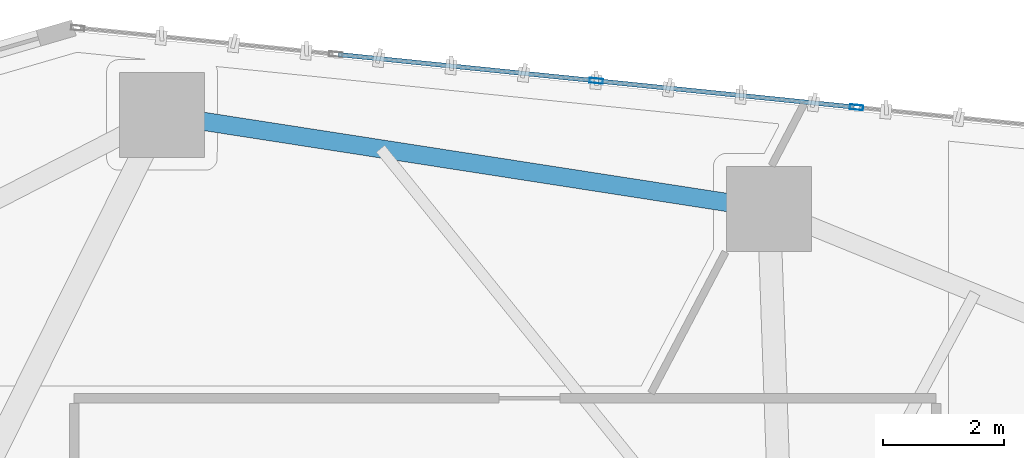
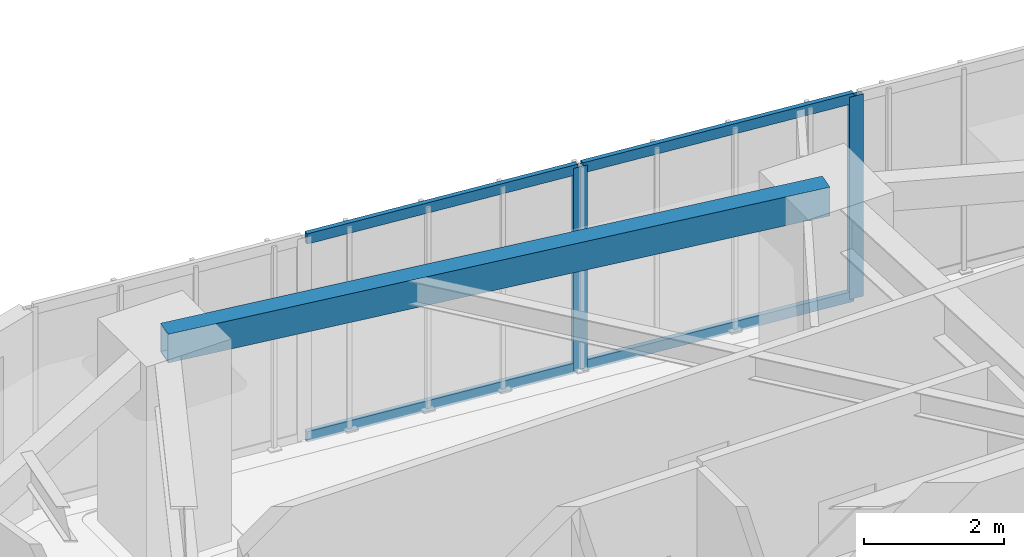
# One storey, part 16 of 24: 6 members, 1 beam, 1 element without a shape of its own.
"""IFC4 building model written with IfcOpenShell, lengths in metres."""

from ifc_helpers import new_model, si_unit, direction, frame, origin, origin_2d, place, context, subcontext, project, spatial, hollow_rectangle, extrude, source, transform, mapped, material, layer, layer_set, material_profile, profile_set, type_object, type_shapes, element, aggregate, save


model = new_model("IFC4")

# Units and contexts
model_context = context("Model", 3, precision=1e-05, world=origin(), true_north=direction((0.0, 1.0)))
body_context = subcontext(model_context, "Body", "Model", "MODEL_VIEW")
ifc_project = project(units=[si_unit("LENGTHUNIT", "METRE"), si_unit("AREAUNIT", "SQUARE_METRE"), si_unit("VOLUMEUNIT", "CUBIC_METRE"), si_unit("PLANEANGLEUNIT", "RADIAN"), si_unit("MASSUNIT", "GRAM", prefix="KILO")], contexts=[model_context])

# Site, building, storey
site_placement = place(None, origin())
site = spatial("IfcSite", under=ifc_project, at=site_placement, CompositionType="ELEMENT")
building_placement = place(site_placement, origin())
building = spatial("IfcBuilding", under=site, at=building_placement, Name="Talar Marvaseh", CompositionType="ELEMENT")
storey_placement = place(building_placement, frame((0.0, 0.0, 73.39990234375)))
storey = spatial("IfcBuildingStorey", under=building, at=storey_placement, Name="L18", CompositionType="ELEMENT", Elevation=73.39990234375)

# Beam
ifc_material_1 = material(Name="Steel S355", Category="steel")
ifc_material_profile_1 = material_profile(ifc_material_1, hollow_rectangle(XDim=0.300048828125, YDim=0.5, WallThickness=0.02001953125, at=origin_2d()), Name="RHS500x300x20")
ifc_profile_set_1 = profile_set([ifc_material_profile_1], Name="Steel S355")
beam_type = type_object("IfcBeamType", Name="Zone 1 Perimeter Spandrel Beam RHS500x300x20", PredefinedType="SPANDREL", material=ifc_profile_set_1)
beam_placement = place(storey_placement, frame((23.047119140625, 45.6669921875, 3.27001953125), z_axis=(0.988210751461, -0.153099675693, 0.0), x_axis=(0.153099675693, 0.988210751461, 0.0)))
element("IfcBeam", 1, at=beam_placement, inside=storey, type_object=beam_type, Name="L18 Zone 1 Perimeter Spandrel Beam RHS500x300x20", PredefinedType="SPANDREL", context=body_context, shape_type="SweptSolid", body=[
    extrude(hollow_rectangle(XDim=0.300048828125, YDim=0.5, WallThickness=0.02001953125, at=origin_2d()), origin(), (0.0, 0.0, 1.0), 10.1181640625),
])

# Curtain wall, members
ifc_material_2 = material(Name="Architectural Aluminium", Category="aluminium")
ifc_layer = layer(ifc_material_2, 0.219970703125)
ifc_layer_set = layer_set([ifc_layer], Name="Architectural Aluminium")
curtain_wall_type = type_object("IfcCurtainWallType", Name="Unitised Low-E Museum Curtain Wall Z1", PredefinedType="NOTDEFINED", material=ifc_layer_set)
curtain_wall_placement = place(storey_placement, origin())
curtain_wall = element("IfcCurtainWall", 2, at=curtain_wall_placement, inside=storey, type_object=curtain_wall_type, Name="L18 Unitised Low-E Museum Curtain Wall Z1", PredefinedType="NOTDEFINED")
ifc_material_profile_2 = material_profile(ifc_material_2, hollow_rectangle(XDim=0.080078125, YDim=0.219970703125, WallThickness=0.0048828125, at=origin_2d()), Name="RHS220x80x5")
ifc_profile_set_2 = profile_set([ifc_material_profile_2], Name="Architectural Aluminium")
member_type_1 = type_object("IfcMemberType", Name="Unitised Curtain Wall Heavy Mullion RHS220x80x5", PredefinedType="MULLION", material=ifc_profile_set_2)
shared_shape_1 = source(origin(), body_context, "Body", "SweptSolid", [
    extrude(hollow_rectangle(XDim=0.080078125, YDim=0.219970703125, WallThickness=0.0048828125, at=origin_2d()), origin(), (0.0, 0.0, 1.0), 3.52001953125),
])
type_shapes(member_type_1, [shared_shape_1])
member_1_placement = place(storey_placement, frame((30.199462890625, 46.22900390625, 0.0), z_axis=(0.0, 0.0, 1.0), x_axis=(0.101365196802, 0.994849283498, 0.0)))
member_1 = element("IfcMember", 3, at=member_1_placement, type_object=member_type_1, Name="CW-Z1 mullion 3", PredefinedType="MULLION", context=body_context, shape_type="MappedRepresentation", body=[
    mapped(shared_shape_1, transform((0.0, 0.0, 0.0), x_axis=(1.0, 0.0, 0.0), y_axis=(0.0, 1.0, 0.0), z_axis=(0.0, 0.0, 1.0), scale=1.0)),
])
member_2_placement = place(storey_placement, frame((34.489013671875, 45.7919921875, 0.0), z_axis=(0.0, 0.0, 1.0), x_axis=(0.101365196802, 0.994849283498, 0.0)))
member_2 = element("IfcMember", 4, at=member_2_placement, type_object=member_type_1, Name="CW-Z1 mullion 4", PredefinedType="MULLION", context=body_context, shape_type="MappedRepresentation", body=[
    mapped(shared_shape_1, transform((0.0, 0.0, 0.0), x_axis=(1.0, 0.0, 0.0), y_axis=(0.0, 1.0, 0.0), z_axis=(0.0, 0.0, 1.0), scale=1.0)),
])
ifc_material_profile_3 = material_profile(ifc_material_2, hollow_rectangle(XDim=0.074951171875, YDim=0.179931640625, WallThickness=0.0048828125, at=origin_2d()), Name="RHS180x75x5")
ifc_profile_set_3 = profile_set([ifc_material_profile_3], Name="Architectural Aluminium")
member_type_2 = type_object("IfcMemberType", Name="Unitised Curtain Wall Transom RHS180x75x5", PredefinedType="USERDEFINED", material=ifc_profile_set_3)
shared_shape_2 = source(origin(), body_context, "Body", "SweptSolid", [
    extrude(hollow_rectangle(XDim=0.074951171875, YDim=0.179931640625, WallThickness=0.0048828125, at=origin_2d()), origin(), (0.0, 0.0, 1.0), 4.23193359375),
])
member_3_placement = place(storey_placement, frame((25.949462890625, 46.661865234375, 0.03759765625), z_axis=(0.994849825141, -0.101359880706, 0.0), x_axis=(0.101359880706, 0.994849825141, 0.0)))
member_3 = element("IfcMember", 5, at=member_3_placement, type_object=member_type_2, Name="CW-Z1 transom 2.1", ObjectType="TRANSOM", PredefinedType="USERDEFINED", context=body_context, shape_type="MappedRepresentation", body=[
    mapped(shared_shape_2, transform((0.0, 0.0, 0.0), x_axis=(1.0, 0.0, 0.0), y_axis=(0.0, 1.0, 0.0), z_axis=(0.0, 0.0, 1.0), scale=1.0)),
])
member_4_placement = place(storey_placement, frame((25.949462890625, 46.661865234375, 3.482666015625), z_axis=(0.994849825141, -0.101359880706, 0.0), x_axis=(0.101359880706, 0.994849825141, 0.0)))
member_4 = element("IfcMember", 6, at=member_4_placement, type_object=member_type_2, Name="CW-Z1 transom 2.2", ObjectType="TRANSOM", PredefinedType="USERDEFINED", context=body_context, shape_type="MappedRepresentation", body=[
    mapped(shared_shape_2, transform((0.0, 0.0, 0.0), x_axis=(1.0, 0.0, 0.0), y_axis=(0.0, 1.0, 0.0), z_axis=(0.0, 0.0, 1.0), scale=1.0)),
])
shared_shape_3 = source(origin(), body_context, "Body", "SweptSolid", [
    extrude(hollow_rectangle(XDim=0.074951171875, YDim=0.179931640625, WallThickness=0.0048828125, at=origin_2d()), origin(), (0.0, 0.0, 1.0), 4.231689453125),
])
type_shapes(member_type_2, [shared_shape_2, shared_shape_3])
member_5_placement = place(storey_placement, frame((30.2392578125, 46.224853515625, 0.03759765625), z_axis=(0.994849232402, -0.101365698291, 0.0), x_axis=(0.101365698291, 0.994849232402, 0.0)))
member_5 = element("IfcMember", 7, at=member_5_placement, type_object=member_type_2, Name="CW-Z1 transom 3.1", ObjectType="TRANSOM", PredefinedType="USERDEFINED", context=body_context, shape_type="MappedRepresentation", body=[
    mapped(shared_shape_3, transform((0.0, 0.0, 0.0), x_axis=(1.0, 0.0, 0.0), y_axis=(0.0, 1.0, 0.0), z_axis=(0.0, 0.0, 1.0), scale=1.0)),
])
member_6_placement = place(storey_placement, frame((30.2392578125, 46.224853515625, 3.482666015625), z_axis=(0.994849232402, -0.101365698291, 0.0), x_axis=(0.101365698291, 0.994849232402, 0.0)))
member_6 = element("IfcMember", 8, at=member_6_placement, type_object=member_type_2, Name="CW-Z1 transom 3.2", ObjectType="TRANSOM", PredefinedType="USERDEFINED", context=body_context, shape_type="MappedRepresentation", body=[
    mapped(shared_shape_3, transform((0.0, 0.0, 0.0), x_axis=(1.0, 0.0, 0.0), y_axis=(0.0, 1.0, 0.0), z_axis=(0.0, 0.0, 1.0), scale=1.0)),
])
aggregate(curtain_wall, [member_1, member_2, member_3, member_4, member_5, member_6])

save(model, "model.ifc")
